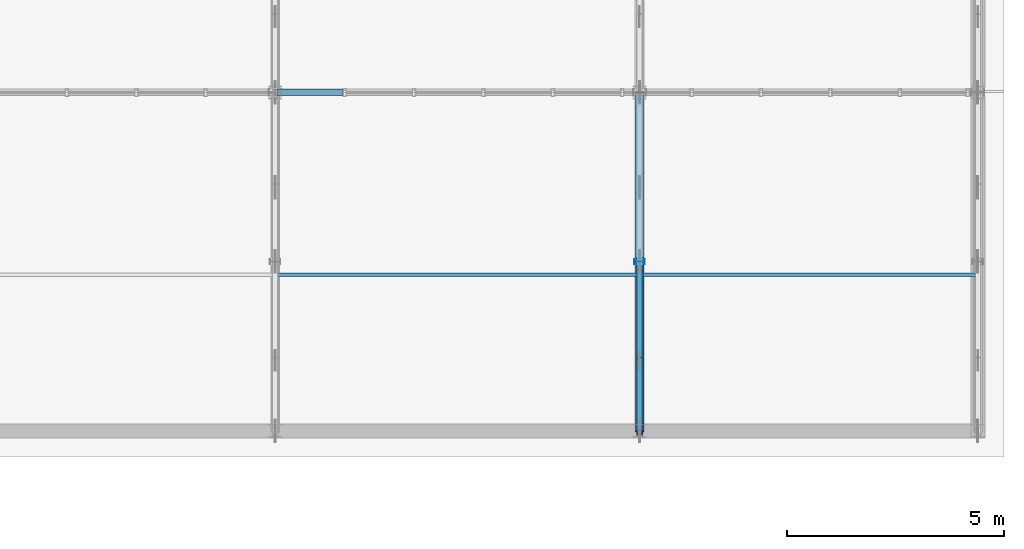
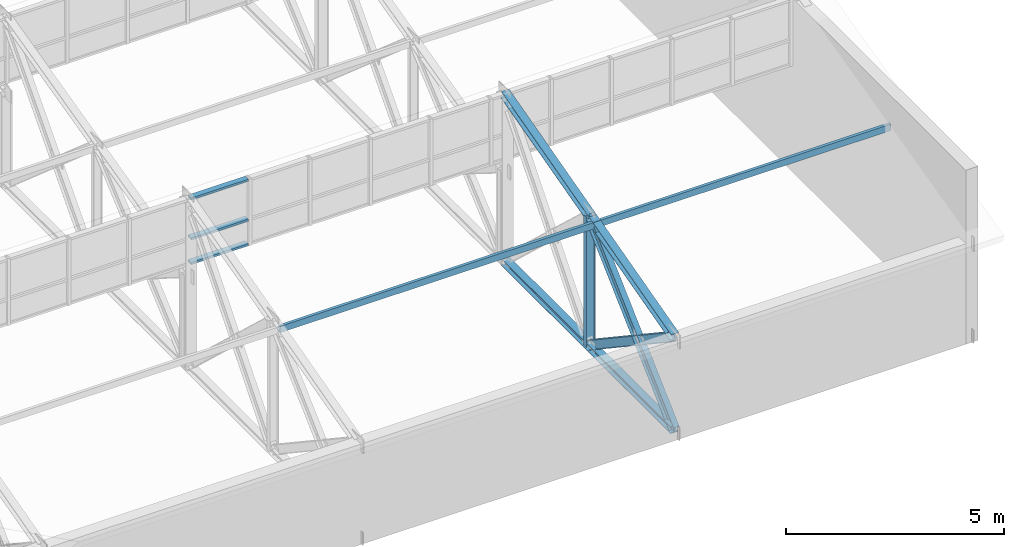
# One storey, part 76 of 123: 11 members, 1 element without a shape of its own.
"""IFC4 building model written with IfcOpenShell, lengths in metres."""

from ifc_helpers import new_model, si_unit, direction, frame, origin, origin_2d, place, context, subcontext, project, spatial, hollow_rectangle, i_section, extrude, material, layer, layer_set, material_profile, profile_set, type_object, element, aggregate, save


model = new_model("IFC4")

# Units and contexts
model_context = context("Model", 3, precision=1e-05, world=origin(), true_north=direction((0.0, 1.0)))
body_context = subcontext(model_context, "Body", "Model", "MODEL_VIEW")
ifc_project = project(units=[si_unit("LENGTHUNIT", "METRE"), si_unit("AREAUNIT", "SQUARE_METRE"), si_unit("VOLUMEUNIT", "CUBIC_METRE"), si_unit("PLANEANGLEUNIT", "RADIAN"), si_unit("MASSUNIT", "GRAM", prefix="KILO")], contexts=[model_context])

# Site, building, storey
site_placement = place(None, origin())
site = spatial("IfcSite", under=ifc_project, at=site_placement, CompositionType="ELEMENT")
building_placement = place(site_placement, origin())
building = spatial("IfcBuilding", under=site, at=building_placement, Name="Zayran Congress Hotel", CompositionType="ELEMENT")
storey_placement = place(building_placement, frame((0.0, 0.0, 15.0)))
storey = spatial("IfcBuildingStorey", under=building, at=storey_placement, Name="L03", CompositionType="ELEMENT", Elevation=15.0)

# Members
ifc_material_1 = material(Name="Steel S355", Category="steel")
ifc_material_profile_1 = material_profile(ifc_material_1, i_section(OverallWidth=0.199951171875, OverallDepth=0.199951171875, WebThickness=0.009033203125, FlangeThickness=0.014892578125, at=origin_2d()), Name="HEB 200")
ifc_profile_set_1 = profile_set([ifc_material_profile_1], Name="Steel S355")
member_type_1 = type_object("IfcMemberType", Name="TP-TR-CH2", PredefinedType="CHORD", material=ifc_profile_set_1)
member_1_placement = place(storey_placement, frame((176.39990234375, 9.39990234375, 0.0), z_axis=(0.0, 1.0, 0.0), x_axis=(-1.0, 0.0, 0.0)))
element("IfcMember", 1, at=member_1_placement, inside=storey, type_object=member_type_1, Name="Sawtooth Truss Bottom Chord 718", PredefinedType="CHORD", context=body_context, shape_type="SweptSolid", body=[
    extrude(i_section(OverallWidth=0.199951171875, OverallDepth=0.199951171875, WebThickness=0.009033203125, FlangeThickness=0.014892578125, at=origin_2d()), origin(), (0.0, 0.0, 1.0), 7.800048828125),
])
member_2_placement = place(storey_placement, frame((176.39990234375, 9.39990234375, 2.60009765625), z_axis=(0.0, 0.96579502769, 0.259306699663), x_axis=(-1.0, 0.0, 0.0)))
element("IfcMember", 2, at=member_2_placement, inside=storey, type_object=member_type_1, Name="Sawtooth Truss Top Chord 719", PredefinedType="CHORD", context=body_context, shape_type="SweptSolid", body=[
    extrude(i_section(OverallWidth=0.199951171875, OverallDepth=0.199951171875, WebThickness=0.009033203125, FlangeThickness=0.014892578125, at=origin_2d()), origin(), (0.0, 0.0, 1.0), 8.076416015625),
])
ifc_material_profile_2 = material_profile(ifc_material_1, i_section(OverallWidth=0.14990234375, OverallDepth=0.300048828125, WebThickness=0.007080078125, FlangeThickness=0.0107421875, at=origin_2d()), Name="IPE 300")
ifc_profile_set_2 = profile_set([ifc_material_profile_2], Name="Steel S355")
member_type_2 = type_object("IfcMemberType", Name="TP-TR-BR1", PredefinedType="BRACE", material=ifc_profile_set_2)
member_3_placement = place(storey_placement, frame((176.39990234375, 9.39990234375, 0.0), z_axis=(0.0, 0.730393544503, 0.68302655157), x_axis=(-1.0, 0.0, 0.0)))
element("IfcMember", 3, at=member_3_placement, inside=storey, type_object=member_type_2, Name="Sawtooth Truss Diagonal 720", PredefinedType="BRACE", context=body_context, shape_type="SweptSolid", body=[
    extrude(i_section(OverallWidth=0.14990234375, OverallDepth=0.300048828125, WebThickness=0.007080078125, FlangeThickness=0.0107421875, at=origin_2d()), origin(), (0.0, 0.0, 1.0), 5.33984375),
])
ifc_material_profile_3 = material_profile(ifc_material_1, i_section(OverallWidth=0.1201171875, OverallDepth=0.239990234375, WebThickness=0.006103515625, FlangeThickness=0.009765625, at=origin_2d()), Name="IPE 240")
ifc_profile_set_3 = profile_set([ifc_material_profile_3], Name="Steel S355")
member_type_3 = type_object("IfcMemberType", Name="TP-TR-BR2", PredefinedType="BRACE", material=ifc_profile_set_3)
member_4_placement = place(storey_placement, frame((176.39990234375, 9.39990234375, 2.60009765625), z_axis=(0.0, 0.831992082034, -0.554787504755), x_axis=(-1.0, 0.0, 0.0)))
element("IfcMember", 4, at=member_4_placement, inside=storey, type_object=member_type_3, Name="Sawtooth Truss Counter Diagonal Upper 721", PredefinedType="BRACE", context=body_context, shape_type="SweptSolid", body=[
    extrude(i_section(OverallWidth=0.1201171875, OverallDepth=0.239990234375, WebThickness=0.006103515625, FlangeThickness=0.009765625, at=origin_2d()), origin(), (0.0, 0.0, 1.0), 1.935791015625),
])
member_5_placement = place(storey_placement, frame((176.39990234375, 11.03564453125, 1.509521484375), z_axis=(0.0, 0.832064095683, -0.55467949365), x_axis=(-1.0, 0.0, 0.0)))
element("IfcMember", 5, at=member_5_placement, inside=storey, type_object=member_type_3, Name="Sawtooth Truss Counter Diagonal Lower 161", PredefinedType="BRACE", context=body_context, shape_type="SweptSolid", body=[
    extrude(i_section(OverallWidth=0.1201171875, OverallDepth=0.239990234375, WebThickness=0.006103515625, FlangeThickness=0.009765625, at=origin_2d()), origin(), (0.0, 0.0, 1.0), 2.721435546875),
])
member_6_placement = place(storey_placement, frame((176.39990234375, 13.300048828125, 0.0), z_axis=(0.0, 0.0, 1.0), x_axis=(0.0, 1.0, 0.0)))
element("IfcMember", 6, at=member_6_placement, inside=storey, type_object=member_type_3, Name="TRV-01 Sawtooth Truss Strut", PredefinedType="BRACE", context=body_context, shape_type="SweptSolid", body=[
    extrude(i_section(OverallWidth=0.1201171875, OverallDepth=0.239990234375, WebThickness=0.006103515625, FlangeThickness=0.009765625, at=origin_2d()), origin(), (0.0, 0.0, 1.0), 3.647216796875),
])
ifc_material_profile_4 = material_profile(ifc_material_1, hollow_rectangle(XDim=0.080078125, YDim=0.179931640625, WallThickness=0.0048828125, at=origin_2d()), Name="RHS 180x80x5")
ifc_profile_set_4 = profile_set([ifc_material_profile_4], Name="Steel S355")
member_type_4 = type_object("IfcMemberType", Name="TP-PR-02", PredefinedType="PURLIN", material=ifc_profile_set_4)
member_7_placement = place(storey_placement, frame((168.0, 13.0, 3.572265625), z_axis=(1.0, 0.0, 0.0), x_axis=(0.0, 1.0, 0.0)))
element("IfcMember", 7, at=member_7_placement, inside=storey, type_object=member_type_4, Name="MEM-PR-V3-0203", PredefinedType="PURLIN", context=body_context, shape_type="SweptSolid", body=[
    extrude(hollow_rectangle(XDim=0.080078125, YDim=0.179931640625, WallThickness=0.0048828125, at=origin_2d()), origin(), (0.0, 0.0, 1.0), 8.39990234375),
])
member_8_placement = place(storey_placement, frame((176.39990234375, 13.0, 3.572265625), z_axis=(1.0, 0.0, 0.0), x_axis=(0.0, 1.0, 0.0)))
element("IfcMember", 8, at=member_8_placement, inside=storey, type_object=member_type_4, Name="MEM-PR-V3-0204", PredefinedType="PURLIN", context=body_context, shape_type="SweptSolid", body=[
    extrude(hollow_rectangle(XDim=0.080078125, YDim=0.179931640625, WallThickness=0.0048828125, at=origin_2d()), origin(), (0.0, 0.0, 1.0), 7.800048828125),
])

# Curtain wall, members
ifc_material_2 = material(Name="Anodised aluminium and low-E insulated glass", Category="aluminium")
ifc_layer = layer(ifc_material_2, 0.179931640625)
ifc_layer_set = layer_set([ifc_layer], Name="Anodised aluminium and low-E insulated glass")
curtain_wall_type = type_object("IfcCurtainWallType", Name="CW-V3SAW-L03-CW-V31-32000-1870", PredefinedType="USERDEFINED", material=ifc_layer_set)
curtain_wall_placement = place(storey_placement, origin())
curtain_wall = element("IfcCurtainWall", 9, at=curtain_wall_placement, inside=storey, type_object=curtain_wall_type, Name="CW-V3SAW-1", ObjectType="CURTAIN WALL", PredefinedType="USERDEFINED")
ifc_material_3 = material(Name="Anodised aluminium framing", Category="aluminium")
ifc_material_profile_5 = material_profile(ifc_material_3, hollow_rectangle(XDim=0.06005859375, YDim=0.14990234375, WallThickness=0.00390625, at=origin_2d()), Name="RHS 150x60x4")
ifc_profile_set_5 = profile_set([ifc_material_profile_5], Name="Anodised aluminium framing")
member_type_5 = type_object("IfcMemberType", Name="TP-CWT-01", PredefinedType="USERDEFINED", material=ifc_profile_set_5)
member_9_placement = place(storey_placement, frame((169.56005859375, 17.199951171875, 2.8798828125), z_axis=(-1.0, 0.0, 0.0), x_axis=(0.0, 0.0, 1.0)))
member_9 = element("IfcMember", 10, at=member_9_placement, type_object=member_type_5, Name="CW-V3SAW-1-T09-0", ObjectType="TRANSOM", PredefinedType="USERDEFINED", context=body_context, shape_type="SweptSolid", body=[
    extrude(hollow_rectangle(XDim=0.06005859375, YDim=0.14990234375, WallThickness=0.00390625, at=origin_2d()), origin(), (0.0, 0.0, 1.0), 1.52001953125),
])
member_10_placement = place(storey_placement, frame((169.56005859375, 17.199951171875, 3.570068359375), z_axis=(-1.0, 0.0, 0.0), x_axis=(0.0, 0.0, 1.0)))
member_10 = element("IfcMember", 11, at=member_10_placement, type_object=member_type_5, Name="CW-V3SAW-1-T09-1", ObjectType="TRANSOM", PredefinedType="USERDEFINED", context=body_context, shape_type="SweptSolid", body=[
    extrude(hollow_rectangle(XDim=0.06005859375, YDim=0.14990234375, WallThickness=0.00390625, at=origin_2d()), origin(), (0.0, 0.0, 1.0), 1.52001953125),
])
member_11_placement = place(storey_placement, frame((169.56005859375, 17.199951171875, 4.68994140625), z_axis=(-1.0, 0.0, 0.0), x_axis=(0.0, 0.0, 1.0)))
member_11 = element("IfcMember", 12, at=member_11_placement, type_object=member_type_5, Name="CW-V3SAW-1-T09-2", ObjectType="TRANSOM", PredefinedType="USERDEFINED", context=body_context, shape_type="SweptSolid", body=[
    extrude(hollow_rectangle(XDim=0.06005859375, YDim=0.14990234375, WallThickness=0.00390625, at=origin_2d()), origin(), (0.0, 0.0, 1.0), 1.52001953125),
])
aggregate(curtain_wall, [member_9, member_10, member_11])

save(model, "model.ifc")
